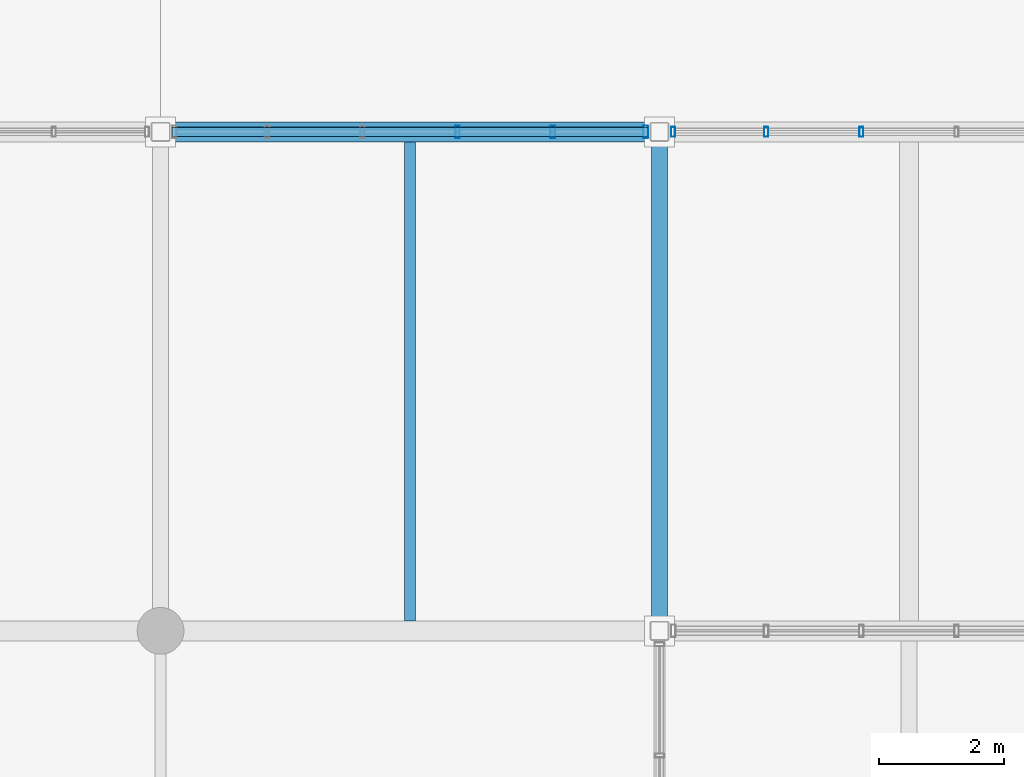
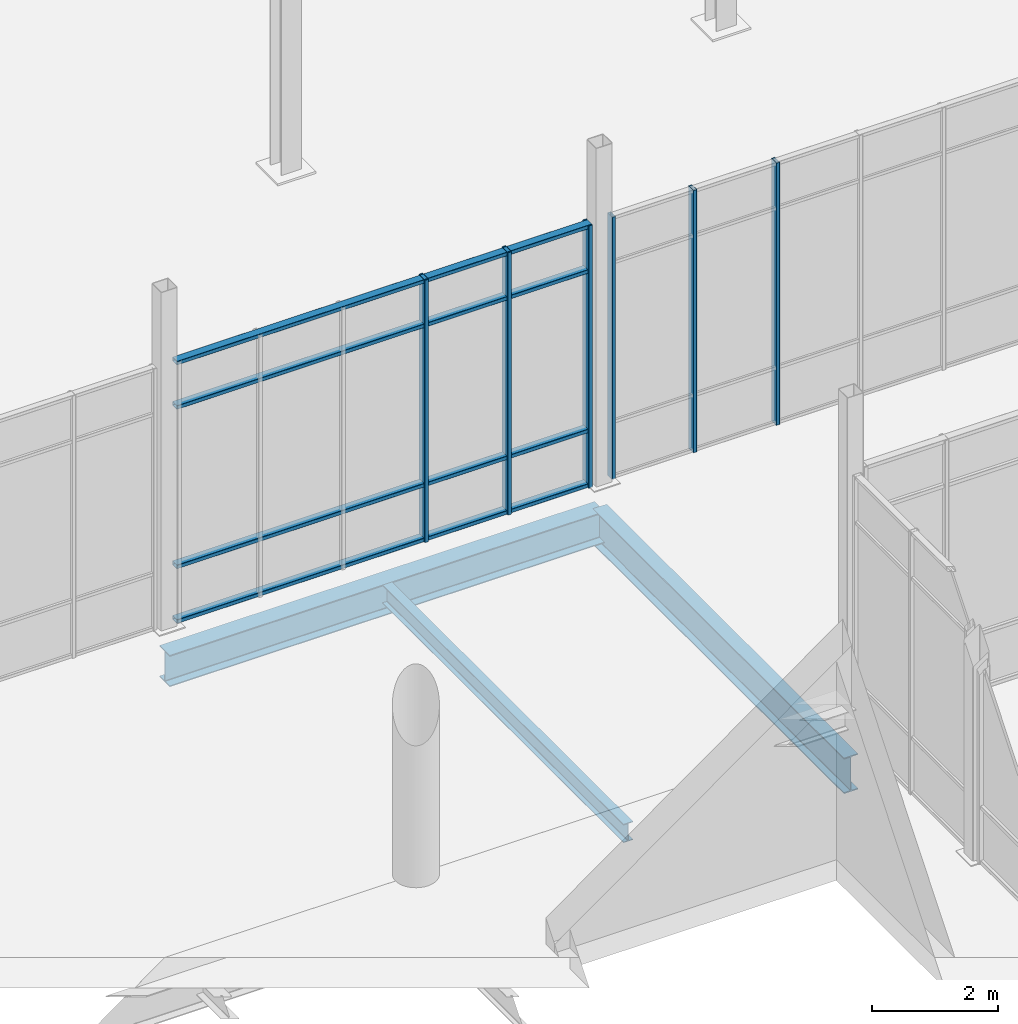
# One storey, part 48 of 140: 10 members, 3 beams, 2 elements without a shape of their own.
"""IFC4 building model written with IfcOpenShell, lengths in metres."""

from ifc_helpers import new_model, si_unit, direction, frame, origin, origin_2d, place, context, subcontext, project, spatial, hollow_rectangle, i_section, extrude, material, material_profile, profile_set, type_object, element, aggregate, save


model = new_model("IFC4")

# Units and contexts
model_context = context("Model", 3, precision=1e-05, world=origin(), true_north=direction((0.0, 1.0)))
body_context = subcontext(model_context, "Body", "Model", "MODEL_VIEW")
ifc_project = project(units=[si_unit("LENGTHUNIT", "METRE"), si_unit("AREAUNIT", "SQUARE_METRE"), si_unit("VOLUMEUNIT", "CUBIC_METRE"), si_unit("PLANEANGLEUNIT", "RADIAN"), si_unit("MASSUNIT", "GRAM", prefix="KILO")], contexts=[model_context])

# Site, building, storey
site_placement = place(None, origin())
site = spatial("IfcSite", under=ifc_project, at=site_placement, CompositionType="ELEMENT")
building_placement = place(site_placement, origin())
building = spatial("IfcBuilding", under=site, at=building_placement, Name="Verrall Gate Interchange", CompositionType="ELEMENT")
storey_placement = place(building_placement, origin())
storey = spatial("IfcBuildingStorey", under=building, at=storey_placement, Name="L01", CompositionType="ELEMENT", Elevation=0.0)

# Beams
ifc_material_1 = material(Name="Structural Steel CSA G40.21 350WT Cat 4", Category="steel")
ifc_material_profile_1 = material_profile(ifc_material_1, i_section(OverallWidth=0.256103515625, OverallDepth=0.693115234375, WebThickness=0.01318359375, FlangeThickness=0.02001953125, FilletRadius=0.01611328125, at=origin_2d()), Name="W690x170")
ifc_profile_set_1 = profile_set([ifc_material_profile_1], Name="Structural Steel CSA G40.21 350WT Cat 4")
beam_type_1 = type_object("IfcBeamType", Name="B-07 Structural Beam W690x170", PredefinedType="BEAM", material=ifc_profile_set_1)
beam_1_placement = place(storey_placement, frame((108.0, 48.0, -0.846435546875), z_axis=(0.0, 1.0, 0.0), x_axis=(-1.0, 0.0, 0.0)))
element("IfcBeam", 1, at=beam_1_placement, inside=storey, type_object=beam_type_1, Name="L01 Girder BM-L01-1178 (B-07)", PredefinedType="BEAM", context=body_context, shape_type="SweptSolid", body=[
    extrude(i_section(OverallWidth=0.256103515625, OverallDepth=0.693115234375, WebThickness=0.01318359375, FlangeThickness=0.02001953125, FilletRadius=0.01611328125, at=origin_2d()), origin(), (0.0, 0.0, 1.0), 8.0),
])
ifc_material_2 = material(Name="Structural Steel CSA G40.21 350WT Cat 4", Category="steel")
ifc_material_profile_2 = material_profile(ifc_material_2, i_section(OverallWidth=0.323974609375, OverallDepth=0.611083984375, WebThickness=0.0126953125, FlangeThickness=0.01904296875, FilletRadius=0.014892578125, at=origin_2d()), Name="W610x155")
ifc_profile_set_2 = profile_set([ifc_material_profile_2], Name="Structural Steel CSA G40.21 350WT Cat 4")
beam_type_2 = type_object("IfcBeamType", Name="B-08 Structural Beam W610x155", PredefinedType="BEAM", material=ifc_profile_set_2)
beam_2_placement = place(storey_placement, frame((100.0, 56.0, -0.805419921875), z_axis=(1.0, 0.0, 0.0), x_axis=(0.0, 1.0, 0.0)))
element("IfcBeam", 2, at=beam_2_placement, inside=storey, type_object=beam_type_2, Name="L01 Girder BM-L01-0947 (B-08)", PredefinedType="BEAM", context=body_context, shape_type="SweptSolid", body=[
    extrude(i_section(OverallWidth=0.323974609375, OverallDepth=0.611083984375, WebThickness=0.0126953125, FlangeThickness=0.01904296875, FilletRadius=0.014892578125, at=origin_2d()), origin(), (0.0, 0.0, 1.0), 8.0),
])

# Curtain wall, members
ifc_material_3 = material(Name="Thermally Broken Anodized Aluminium Curtain Wall Framing", Category="aluminium")
curtain_wall_type = type_object("IfcCurtainWallType", Name="CW-06 Unitized Curtain Wall 7631x5100", PredefinedType="NOTDEFINED", material=ifc_material_3)
curtain_wall_1_placement = place(storey_placement, origin())
curtain_wall_1 = element("IfcCurtainWall", 3, at=curtain_wall_1_placement, inside=storey, type_object=curtain_wall_type, Name="L01 Unitized Curtain Wall CW-L01-014", PredefinedType="NOTDEFINED")
ifc_material_4 = material(Name="Thermally Broken Anodized Aluminium Curtain Wall Framing", Category="aluminium")
ifc_material_profile_3 = material_profile(ifc_material_4, hollow_rectangle(XDim=0.06494140625, YDim=0.159912109375, WallThickness=0.00390625, InnerFilletRadius=0.00390625, OuterFilletRadius=0.008056640625, at=origin_2d()), Name="CWM160x65x4")
ifc_profile_set_3 = profile_set([ifc_material_profile_3], Name="Thermally Broken Anodized Aluminium Curtain Wall Framing")
member_type_1 = type_object("IfcMemberType", Name="CM-01 Curtain Mullion CWM160x65x4", PredefinedType="MULLION", material=ifc_profile_set_3)
member_1_placement = place(storey_placement, frame((111.23681640625, 56.0, 0.0), z_axis=(0.0, 0.0, 1.0), x_axis=(-1.0, 0.0, 0.0)))
member_1 = element("IfcMember", 4, at=member_1_placement, type_object=member_type_1, Name="CW-L01-014 Mullion 4", PredefinedType="MULLION", context=body_context, shape_type="SweptSolid", body=[
    extrude(hollow_rectangle(XDim=0.06494140625, YDim=0.159912109375, WallThickness=0.00390625, InnerFilletRadius=0.00390625, OuterFilletRadius=0.008056640625, at=origin_2d()), origin(), (0.0, 0.0, 1.0), 5.10009765625),
])
member_2_placement = place(storey_placement, frame((109.710693359375, 56.0, 0.0), z_axis=(0.0, 0.0, 1.0), x_axis=(-1.0, 0.0, 0.0)))
member_2 = element("IfcMember", 5, at=member_2_placement, type_object=member_type_1, Name="CW-L01-014 Mullion 5", PredefinedType="MULLION", context=body_context, shape_type="SweptSolid", body=[
    extrude(hollow_rectangle(XDim=0.06494140625, YDim=0.159912109375, WallThickness=0.00390625, InnerFilletRadius=0.00390625, OuterFilletRadius=0.008056640625, at=origin_2d()), origin(), (0.0, 0.0, 1.0), 5.10009765625),
])
member_3_placement = place(storey_placement, frame((108.217041015625, 56.0, 0.0), z_axis=(0.0, 0.0, 1.0), x_axis=(-1.0, 0.0, 0.0)))
member_3 = element("IfcMember", 6, at=member_3_placement, type_object=member_type_1, Name="CW-L01-014 Mullion 6", PredefinedType="MULLION", context=body_context, shape_type="SweptSolid", body=[
    extrude(hollow_rectangle(XDim=0.06494140625, YDim=0.159912109375, WallThickness=0.00390625, InnerFilletRadius=0.00390625, OuterFilletRadius=0.008056640625, at=origin_2d()), origin(), (0.0, 0.0, 1.0), 5.10009765625),
])
aggregate(curtain_wall_1, [member_1, member_2, member_3])

curtain_wall_2_placement = place(storey_placement, origin())
curtain_wall_2 = element("IfcCurtainWall", 7, at=curtain_wall_2_placement, inside=storey, type_object=curtain_wall_type, Name="L01 Unitized Curtain Wall CW-L01-015", PredefinedType="NOTDEFINED")
ifc_material_5 = material(Name="Thermally Broken Anodized Aluminium Curtain Wall Framing", Category="aluminium")
ifc_material_profile_4 = material_profile(ifc_material_5, hollow_rectangle(XDim=0.074951171875, YDim=0.199951171875, WallThickness=0.0048828125, InnerFilletRadius=0.0048828125, OuterFilletRadius=0.010009765625, at=origin_2d()), Name="CWM200x75x5")
ifc_profile_set_4 = profile_set([ifc_material_profile_4], Name="Thermally Broken Anodized Aluminium Curtain Wall Framing")
member_type_2 = type_object("IfcMemberType", Name="CM-02 Curtain Mullion CWM200x75x5", PredefinedType="MULLION", material=ifc_profile_set_4)
member_4_placement = place(storey_placement, frame((107.778076171875, 56.0, 0.0), z_axis=(0.0, 0.0, 1.0), x_axis=(-1.0, 0.0, 0.0)))
member_4 = element("IfcMember", 8, at=member_4_placement, type_object=member_type_2, Name="CW-L01-015 Mullion 1", PredefinedType="MULLION", context=body_context, shape_type="SweptSolid", body=[
    extrude(hollow_rectangle(XDim=0.074951171875, YDim=0.199951171875, WallThickness=0.0048828125, InnerFilletRadius=0.0048828125, OuterFilletRadius=0.010009765625, at=origin_2d()), origin(), (0.0, 0.0, 1.0), 5.10009765625),
])
member_5_placement = place(storey_placement, frame((106.289306640625, 56.0, 0.0), z_axis=(0.0, 0.0, 1.0), x_axis=(-1.0, 0.0, 0.0)))
member_5 = element("IfcMember", 9, at=member_5_placement, type_object=member_type_2, Name="CW-L01-015 Mullion 2", PredefinedType="MULLION", context=body_context, shape_type="SweptSolid", body=[
    extrude(hollow_rectangle(XDim=0.074951171875, YDim=0.199951171875, WallThickness=0.0048828125, InnerFilletRadius=0.0048828125, OuterFilletRadius=0.010009765625, at=origin_2d()), origin(), (0.0, 0.0, 1.0), 5.10009765625),
])
member_6_placement = place(storey_placement, frame((104.76318359375, 56.0, 0.0), z_axis=(0.0, 0.0, 1.0), x_axis=(-1.0, 0.0, 0.0)))
member_6 = element("IfcMember", 10, at=member_6_placement, type_object=member_type_2, Name="CW-L01-015 Mullion 3", PredefinedType="MULLION", context=body_context, shape_type="SweptSolid", body=[
    extrude(hollow_rectangle(XDim=0.074951171875, YDim=0.199951171875, WallThickness=0.0048828125, InnerFilletRadius=0.0048828125, OuterFilletRadius=0.010009765625, at=origin_2d()), origin(), (0.0, 0.0, 1.0), 5.10009765625),
])
ifc_material_6 = material(Name="Thermally Broken Anodized Aluminium Curtain Wall Framing", Category="aluminium")
ifc_material_profile_5 = material_profile(ifc_material_6, hollow_rectangle(XDim=0.14990234375, YDim=0.074951171875, WallThickness=0.00439453125, InnerFilletRadius=0.00439453125, OuterFilletRadius=0.009033203125, at=origin_2d()), Name="CWT150x75x4.5")
ifc_profile_set_5 = profile_set([ifc_material_profile_5], Name="Thermally Broken Anodized Aluminium Curtain Wall Framing")
member_type_3 = type_object("IfcMemberType", Name="CT-02 Curtain Transom CWT150x75x4.5", PredefinedType="USERDEFINED", material=ifc_profile_set_5)
member_7_placement = place(storey_placement, frame((107.8154296875, 56.0, 0.03759765625), z_axis=(-1.0, 0.0, 0.0), x_axis=(0.0, -1.0, 0.0)))
member_7 = element("IfcMember", 11, at=member_7_placement, type_object=member_type_3, Name="CW-L01-015 Transom 1", ObjectType="TRANSOM", PredefinedType="USERDEFINED", context=body_context, shape_type="SweptSolid", body=[
    extrude(hollow_rectangle(XDim=0.14990234375, YDim=0.074951171875, WallThickness=0.00439453125, InnerFilletRadius=0.00439453125, OuterFilletRadius=0.009033203125, at=origin_2d()), origin(), (0.0, 0.0, 1.0), 7.630859375),
])
member_8_placement = place(storey_placement, frame((107.8154296875, 56.0, 1.10009765625), z_axis=(-1.0, 0.0, 0.0), x_axis=(0.0, -1.0, 0.0)))
member_8 = element("IfcMember", 12, at=member_8_placement, type_object=member_type_3, Name="CW-L01-015 Transom 2", ObjectType="TRANSOM", PredefinedType="USERDEFINED", context=body_context, shape_type="SweptSolid", body=[
    extrude(hollow_rectangle(XDim=0.14990234375, YDim=0.074951171875, WallThickness=0.00439453125, InnerFilletRadius=0.00439453125, OuterFilletRadius=0.009033203125, at=origin_2d()), origin(), (0.0, 0.0, 1.0), 7.630859375),
])
member_9_placement = place(storey_placement, frame((107.8154296875, 56.0, 4.199951171875), z_axis=(-1.0, 0.0, 0.0), x_axis=(0.0, -1.0, 0.0)))
member_9 = element("IfcMember", 13, at=member_9_placement, type_object=member_type_3, Name="CW-L01-015 Transom 3", ObjectType="TRANSOM", PredefinedType="USERDEFINED", context=body_context, shape_type="SweptSolid", body=[
    extrude(hollow_rectangle(XDim=0.14990234375, YDim=0.074951171875, WallThickness=0.00439453125, InnerFilletRadius=0.00439453125, OuterFilletRadius=0.009033203125, at=origin_2d()), origin(), (0.0, 0.0, 1.0), 7.630859375),
])
member_10_placement = place(storey_placement, frame((107.8154296875, 56.0, 5.0625), z_axis=(-1.0, 0.0, 0.0), x_axis=(0.0, -1.0, 0.0)))
member_10 = element("IfcMember", 14, at=member_10_placement, type_object=member_type_3, Name="CW-L01-015 Transom 4", ObjectType="TRANSOM", PredefinedType="USERDEFINED", context=body_context, shape_type="SweptSolid", body=[
    extrude(hollow_rectangle(XDim=0.14990234375, YDim=0.074951171875, WallThickness=0.00439453125, InnerFilletRadius=0.00439453125, OuterFilletRadius=0.009033203125, at=origin_2d()), origin(), (0.0, 0.0, 1.0), 7.630859375),
])
aggregate(curtain_wall_2, [member_4, member_5, member_6, member_7, member_8, member_9, member_10])

# Beam
ifc_material_7 = material(Name="Structural Steel CSA G40.21 350W", Category="steel")
ifc_material_profile_6 = material_profile(ifc_material_7, i_section(OverallWidth=0.172119140625, OverallDepth=0.35791015625, WebThickness=0.0078125, FlangeThickness=0.01318359375, FilletRadius=0.010986328125, at=origin_2d()), Name="W360x57")
ifc_profile_set_6 = profile_set([ifc_material_profile_6], Name="Structural Steel CSA G40.21 350W")
beam_type_3 = type_object("IfcBeamType", Name="J-01 Floor Joist W360x57", PredefinedType="JOIST", material=ifc_profile_set_6)
beam_3_placement = place(storey_placement, frame((104.0, 48.162109375, -0.678955078125), z_axis=(0.0, 1.0, 0.0), x_axis=(-1.0, 0.0, 0.0)))
element("IfcBeam", 15, at=beam_3_placement, inside=storey, type_object=beam_type_3, Name="L01 Secondary Floor Joist JST-L01-1411", PredefinedType="JOIST", context=body_context, shape_type="SweptSolid", body=[
    extrude(i_section(OverallWidth=0.172119140625, OverallDepth=0.35791015625, WebThickness=0.0078125, FlangeThickness=0.01318359375, FilletRadius=0.010986328125, at=origin_2d()), origin(), (0.0, 0.0, 1.0), 7.67578125),
])

save(model, "model.ifc")
